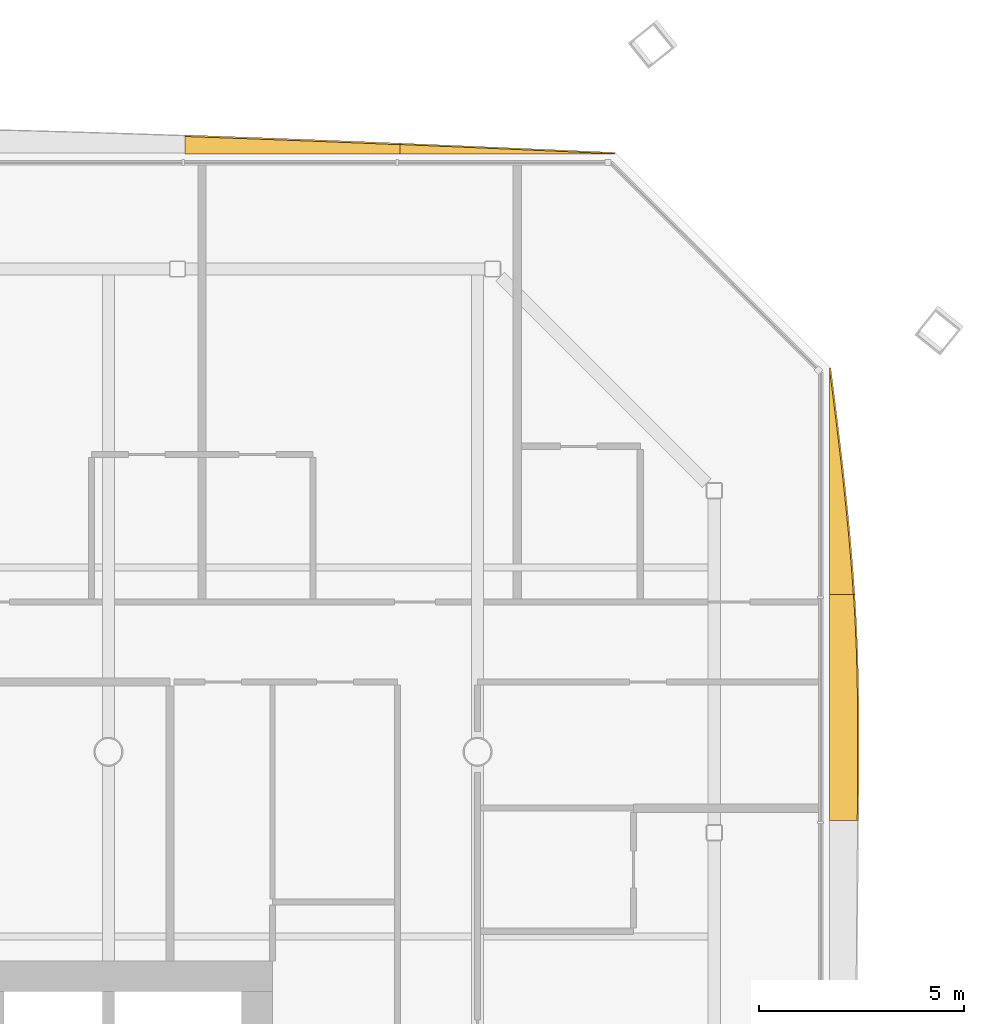
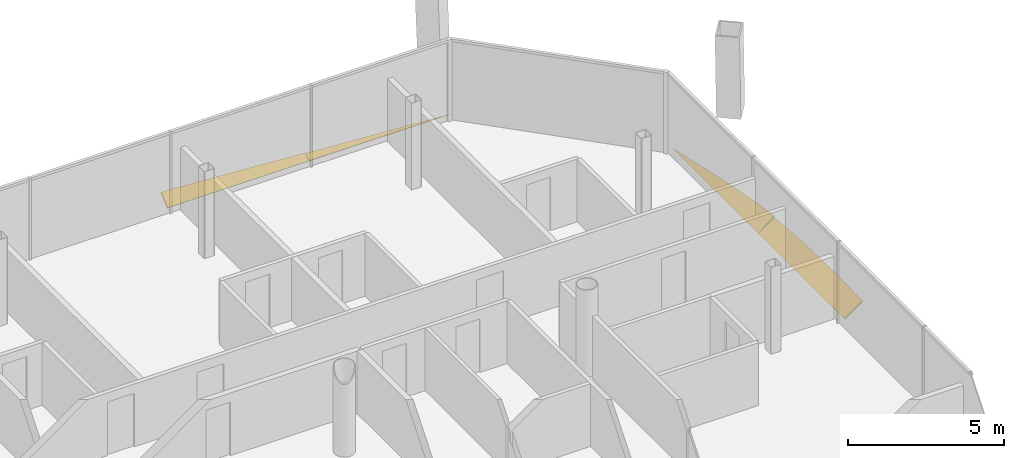
# One storey, part 22 of 22: 4 shading devices.
"""IFC4 building model written with IfcOpenShell, lengths in metres."""

from ifc_helpers import new_model, si_unit, direction, frame, origin, place, context, subcontext, project, spatial, polyline, outline, extrude, material, layer, layer_set, type_object, element, save


model = new_model("IFC4")

# Units and contexts
model_context = context("Model", 3, precision=1e-05, world=origin(), true_north=direction((0.0, 1.0)))
body_context = subcontext(model_context, "Body", "Model", "MODEL_VIEW")
ifc_project = project(units=[si_unit("LENGTHUNIT", "METRE"), si_unit("AREAUNIT", "SQUARE_METRE"), si_unit("VOLUMEUNIT", "CUBIC_METRE"), si_unit("PLANEANGLEUNIT", "RADIAN"), si_unit("MASSUNIT", "GRAM", prefix="KILO")], contexts=[model_context])

# Site, building, storey
site_placement = place(None, origin())
site = spatial("IfcSite", under=ifc_project, at=site_placement, CompositionType="ELEMENT")
building_placement = place(site_placement, origin())
building = spatial("IfcBuilding", under=site, at=building_placement, Name="Tskaro Facet Tower", CompositionType="ELEMENT")
storey_placement = place(building_placement, frame((0.0, 0.0, 124.89990234375)))
storey = spatial("IfcBuildingStorey", under=building, at=storey_placement, Name="L29", CompositionType="ELEMENT", Elevation=124.89990234375)

# Shading devices
ifc_material = material(Name="Bronze anodised aluminium 6063-T6", Category="aluminium")
ifc_layer = layer(ifc_material, 0.06005859375, Name="Bronze anodised aluminium 6063-T6")
ifc_layer_set = layer_set([ifc_layer], Name="Bronze anodised aluminium 6063-T6")
shading_device_type = type_object("IfcShadingDeviceType", Name="Bronze sun blade (FN1)", PredefinedType="USERDEFINED", material=ifc_layer_set)
shading_device_1_placement = place(storey_placement, frame((26.58251953125, 7.32080078125, 0.04931640625), z_axis=(-0.573501519692, 2.632531e-06, 0.819204496389), x_axis=(1.509761e-06, 0.999999999997, -2.156582e-06)))
element("IfcShadingDevice", 1, at=shading_device_1_placement, inside=storey, type_object=shading_device_type, Name="Fin blade east 6", ObjectType="FIN", PredefinedType="USERDEFINED", context=body_context, shape_type="SweptSolid", body=[
    extrude(outline(polyline([(0.0, 0.0), (5.518066406230879, 1.1684960128077207e-21), (5.51806640642607, -0.7140078178422318), (4.828369140546395, -0.7632497412282581), (4.138427734356052, -0.7998911679250074), (3.4487304688943583, -0.8233920807175192), (2.759033202957043, -0.8330124612930812), (2.615478515826134, -0.8332124623908331), (2.0693359373344324, -0.8330124612930812), (1.3793945313498908, -0.8314523957264954), (0.689697265411075, -0.8291523118471973), (1.0392010893546453e-10, -0.8254921634990654), (0.0, 0.0)])), origin(), (0.0, 0.0, -1.0), 0.06005859375),
])
shading_device_2_placement = place(storey_placement, frame((26.578369140625, 12.8388671875, 0.046142578125), z_axis=(-0.642595702526, 1.6848248e-05, 0.766205431207), x_axis=(1.0826612e-05, 0.999999999858, -1.2909219e-05)))
element("IfcShadingDevice", 2, at=shading_device_2_placement, inside=storey, type_object=shading_device_type, Name="Fin blade east 7", ObjectType="FIN", PredefinedType="USERDEFINED", context=body_context, shape_type="SweptSolid", body=[
    extrude(outline(polyline([(0.0, 0.0), (5.518066405466811, 0.0), (4.828369140203048, -0.11437721101810724), (4.138671874838313, -0.226847632216639), (3.4487304686466724, -0.33550447377601983), (2.7590332022686366, -0.4387848914660134), (2.0693359354867193, -0.5344381498777051), (1.3796386724694827, -0.6216194741159575), (0.689697266696111, -0.6983918962047744), (-1.7013335701615806e-09, -0.7635365175032587), (0.0, 0.0)])), origin(), (0.0, 0.0, -1.0), 0.06005859375),
])
shading_device_3_placement = place(storey_placement, frame((21.35693359375, 23.58251953125, 0.04931640625), z_axis=(-4.0987e-08, -0.573225936224, 0.819397355402), x_axis=(-1.0, 2.3495e-08, -3.3585e-08)))
element("IfcShadingDevice", 3, at=shading_device_3_placement, inside=storey, type_object=shading_device_type, Name="Fin blade north 1", ObjectType="FIN", PredefinedType="USERDEFINED", context=body_context, shape_type="SweptSolid", body=[
    extrude(outline(polyline([(0.0, 0.0), (5.244873046874996, -1.735382919870771e-23), (5.244873046875027, -0.2747107154651631), (4.495605468745558, -0.23664919939694598), (3.746337890626753, -0.19810773966958561), (2.9970703125046754, -0.15902623583894684), (2.247802734371125, -0.11954463564336579), (1.4985351562539742, -0.07978313997111261), (0.7492675781228874, -0.039961543854724335), (0.0, 0.0)])), origin(), (0.0, 0.0, -1.0), 0.06005859375),
])
shading_device_4_placement = place(storey_placement, frame((16.112060546875, 23.578369140625, 0.046142578125), z_axis=(7.391829e-06, -0.642484993488, 0.766298266401), x_axis=(-0.999999999973, -4.749139e-06, 5.664346e-06)))
element("IfcShadingDevice", 4, at=shading_device_4_placement, inside=storey, type_object=shading_device_type, Name="Fin blade north 2", ObjectType="FIN", PredefinedType="USERDEFINED", context=body_context, shape_type="SweptSolid", body=[
    extrude(outline(polyline([(0.0, 0.0), (5.244873046731713, -2.2212901374345867e-21), (5.244873047145148, -0.5547249444232065), (4.495605468641883, -0.5205897969811728), (3.7463378906277565, -0.48523574132473424), (2.9970703119433137, -0.4488498619915917), (2.2478027351309082, -0.4114019311319118), (1.498535156488727, -0.3731092611332284), (0.749267577176229, -0.3337847674578408), (-4.079233661169399e-11, -0.2937421634814841), (0.0, 0.0)])), origin(), (0.0, 0.0, -1.0), 0.06005859375),
])

save(model, "model.ifc")
